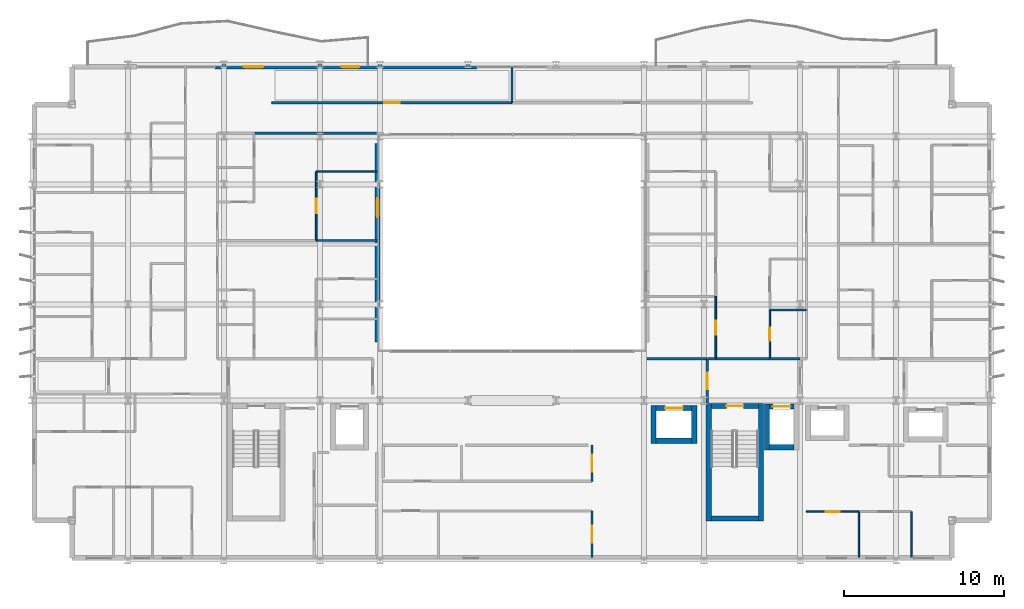
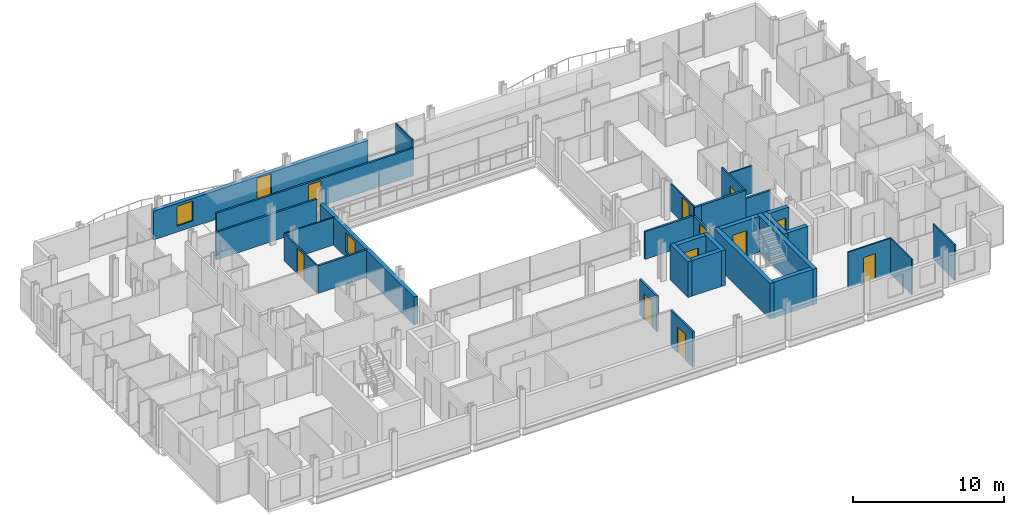
# One storey, part 30 of 39: 32 walls, 12 doors, 2 windows, 14 openings.
"""IFC4 building model written with IfcOpenShell, lengths in metres."""

import ifcopenshell
import ifcopenshell.guid

model = None  # the IFC model being written
_history = None  # IfcOwnerHistory: only IFC2X3 demands one
_inside = {}  # id of a spatial element -> (the spatial element, [elements in it])
_under = {}  # id of a project, library or spatial element -> (it, [spatial elements below it])
_declared = {}  # id of a project -> (the project, [libraries it declares])
_typed = {}  # id of a type object -> (the type object, [elements of that type])
_made_of = {}  # id of a material, layer set ... -> (it, [elements and type objects made of it])


def new_model(schema):
    """Start an empty IFC model of exactly this schema.

    Asked for "IFC4X3", IfcOpenShell would pick the latest addendum, in which some entities
    have other attributes; the version numbers below select the first issue.
    IFC2X3 requires an IfcOwnerHistory on every rooted entity: one is made here for all.
    """
    global model, _history
    if schema == "IFC4X3":
        model = ifcopenshell.file(schema_version=(4, 3, 0, 0))
    else:
        model = ifcopenshell.file(schema=schema)
    _inside.clear()
    _under.clear()
    _declared.clear()
    _typed.clear()
    _made_of.clear()
    _history = None
    if model.schema == "IFC2X3":
        org = make("IfcOrganization", Name="unknown")
        user = make(
            "IfcPersonAndOrganization",
            ThePerson=make("IfcPerson", FamilyName="unknown"),
            TheOrganization=org,
        )
        app = make(
            "IfcApplication",
            ApplicationDeveloper=org,
            Version="unknown",
            ApplicationFullName="unknown",
            ApplicationIdentifier="unknown",
        )
        _history = make(
            "IfcOwnerHistory",
            OwningUser=user,
            OwningApplication=app,
            ChangeAction="ADDED",
            CreationDate=0,
        )
    return model


def make(cls, **values):
    """One entity of the class cls with the attributes given. An attribute that is None is left unset."""
    return model.create_entity(
        cls, **{name: value for name, value in values.items() if value is not None}
    )


def rooted(cls, **values):
    """An entity with a GlobalId (a new one), such as an element, a storey or a relation."""
    return make(cls, GlobalId=ifcopenshell.guid.new(), OwnerHistory=_history, **values)


def si_unit(unit_type, name, prefix=None):
    """IfcSIUnit, for example si_unit("LENGTHUNIT", "METRE", prefix="MILLI")."""
    return make("IfcSIUnit", UnitType=unit_type, Prefix=prefix, Name=name)


def assignment(units):
    """IfcUnitAssignment: the units of a project."""
    return None if units is None else make("IfcUnitAssignment", Units=units)


def point(xyz):
    """IfcCartesianPoint."""
    return None if xyz is None else make("IfcCartesianPoint", Coordinates=xyz)


def direction(xyz):
    """IfcDirection."""
    return None if xyz is None else make("IfcDirection", DirectionRatios=xyz)


def frame(location, z_axis=None, x_axis=None):
    """IfcAxis2Placement3D, a coordinate frame: its origin and axes. An axis left out is left unset."""
    return make(
        "IfcAxis2Placement3D",
        Location=point(location),
        Axis=direction(z_axis),
        RefDirection=direction(x_axis),
    )


def frame_2d(location, x_axis=None):
    """IfcAxis2Placement2D, a coordinate frame in the plane: its origin and x axis."""
    return make(
        "IfcAxis2Placement2D", Location=point(location), RefDirection=direction(x_axis)
    )


def origin():
    """The frame at (0, 0, 0) with its axes left unset."""
    return frame((0.0, 0.0, 0.0))


def place(relative_to, where):
    """IfcLocalPlacement: puts the frame where relative to a parent placement (None: the world)."""
    return make(
        "IfcLocalPlacement", PlacementRelTo=relative_to, RelativePlacement=where
    )


def context(
    kind, dimensions, precision=None, world=None, true_north=None, identifier=None
):
    """IfcGeometricRepresentationContext, for example the 3D "Model" context."""
    return make(
        "IfcGeometricRepresentationContext",
        ContextIdentifier=identifier,
        ContextType=kind,
        CoordinateSpaceDimension=dimensions,
        Precision=precision,
        WorldCoordinateSystem=world,
        TrueNorth=true_north,
    )


def subcontext(parent, identifier, kind, view, scale=None):
    """IfcGeometricRepresentationSubContext, for example "Body" below "Model"."""
    return make(
        "IfcGeometricRepresentationSubContext",
        ContextIdentifier=identifier,
        ContextType=kind,
        ParentContext=parent,
        TargetScale=scale,
        TargetView=view,
    )


def project(units=None, contexts=None):
    """IfcProject with its units and contexts."""
    return rooted(
        "IfcProject",
        Name="project",
        RepresentationContexts=contexts,
        UnitsInContext=assignment(units),
    )


def spatial(cls, under=None, at=None, **own):
    """A site, building, storey or space (cls), placed at a placement, below another one or the project."""
    s = rooted(cls, ObjectPlacement=at, **own)
    if under is not None:
        _under.setdefault(under.id(), (under, []))[1].append(s)
    return s


def profile(cls, at=None, kind="AREA", **sizes):
    """A parametric profile (cls). Its sizes go by their IFC names, for example OverallWidth=200.0."""
    return make(cls, ProfileType=kind, Position=at, **sizes)


def rectangle(**sizes):
    """IfcRectangleProfileDef."""
    return profile("IfcRectangleProfileDef", **sizes)


def extrude(swept, where, along, depth):
    """IfcExtrudedAreaSolid: the profile swept, set in the frame where, extruded along a direction by depth."""
    return make(
        "IfcExtrudedAreaSolid",
        SweptArea=swept,
        Position=where,
        ExtrudedDirection=direction(along),
        Depth=depth,
    )


def shape(context_of_items, identifier, shape_type, items):
    """IfcShapeRepresentation: the items that make up one representation, for example the "Body"."""
    return make(
        "IfcShapeRepresentation",
        ContextOfItems=context_of_items,
        RepresentationIdentifier=identifier,
        RepresentationType=shape_type,
        Items=items,
    )


def material(Name=None, Category=None):
    """IfcMaterial."""
    return make("IfcMaterial", Name=Name, Category=Category)


def layer(
    of_material, thickness, ventilated=None, Name=None, Category=None, Priority=None
):
    """IfcMaterialLayer: one layer of a wall or slab, of a material (None: an air gap)."""
    return make(
        "IfcMaterialLayer",
        Material=of_material,
        LayerThickness=thickness,
        IsVentilated=ventilated,
        Name=Name,
        Category=Category,
        Priority=Priority,
    )


def layer_set(layers, Name=None):
    """IfcMaterialLayerSet."""
    return make("IfcMaterialLayerSet", MaterialLayers=layers, LayerSetName=Name)


def made_of(thing, what):
    """Note that an element or type object is made of a material, layer set ...; save() writes the relation."""
    if what is not None:
        _made_of.setdefault(what.id(), (what, []))[1].append(thing)
    return thing


def type_object(cls, material=None, **own):
    """A type object (cls), such as IfcWallType, which elements share."""
    return made_of(rooted(cls, **own), material)


def element(
    cls,
    number,
    at=None,
    inside=None,
    cuts=None,
    type_object=None,
    material=None,
    context=None,
    identifier="Body",
    shape_type=None,
    held_by="IfcProductDefinitionShape",
    body=None,
    shapes=None,
    **own,
):
    """One element of the class cls, such as IfcWall. Its Tag is "e" and its number.

    at: its placement. inside: the storey or other place that contains it. cuts: it is an
    opening in that element (IfcRelVoidsElement). A single representation is given by context,
    identifier, shape_type and body (its items); several are given by shapes. held_by: the class
    of the entity that holds the representations. save() writes the other relations.
    """
    e = rooted(cls, Tag="e%d" % number, ObjectPlacement=at, **own)
    if body is not None:
        shapes = [shape(context, identifier, shape_type, body)]
    if shapes is not None:
        e.Representation = make(held_by, Representations=shapes)
    if inside is not None:
        _inside.setdefault(inside.id(), (inside, []))[1].append(e)
    if cuts is not None:
        rooted(
            "IfcRelVoidsElement", RelatingBuildingElement=cuts, RelatedOpeningElement=e
        )
    if type_object is not None:
        _typed.setdefault(type_object.id(), (type_object, []))[1].append(e)
    return made_of(e, material)


def fill(opening, filler):
    """IfcRelFillsElement: the door or window that sits in an opening."""
    return rooted(
        "IfcRelFillsElement",
        RelatingOpeningElement=opening,
        RelatedBuildingElement=filler,
    )


def aggregate(whole, parts):
    """IfcRelAggregates: a whole, such as a stair, and the parts it consists of."""
    return rooted("IfcRelAggregates", RelatingObject=whole, RelatedObjects=parts)


def save(model, path):
    """Write the relations noted so far, then the file.

    IfcRelAggregates (storeys below a building ...), IfcRelContainedInSpatialStructure (elements
    in a storey), IfcRelDefinesByType, IfcRelAssociatesMaterial and IfcRelDeclares: one each for
    every whole, place, type object, material and project.
    """
    for whole, parts in _under.values():
        aggregate(whole, parts)
    for where, things in _inside.values():
        rooted(
            "IfcRelContainedInSpatialStructure",
            RelatedElements=things,
            RelatingStructure=where,
        )
    for kind, things in _typed.values():
        rooted("IfcRelDefinesByType", RelatedObjects=things, RelatingType=kind)
    for what, things in _made_of.values():
        rooted("IfcRelAssociatesMaterial", RelatedObjects=things, RelatingMaterial=what)
    for by, libraries in _declared.values():
        rooted("IfcRelDeclares", RelatingContext=by, RelatedDefinitions=libraries)
    model.write(path)


model = new_model("IFC4")

# Units and contexts
model_context = context("Model", 3, precision=1e-05, world=origin(), true_north=direction((0.0, 1.0)))
body_context = subcontext(model_context, "Body", "Model", "MODEL_VIEW")
ifc_project = project(units=[si_unit("LENGTHUNIT", "METRE"), si_unit("AREAUNIT", "SQUARE_METRE"), si_unit("VOLUMEUNIT", "CUBIC_METRE"), si_unit("PLANEANGLEUNIT", "RADIAN"), si_unit("MASSUNIT", "GRAM", prefix="KILO")], contexts=[model_context])

# Site, building, storey
site_placement = place(None, origin())
site = spatial("IfcSite", under=ifc_project, at=site_placement, CompositionType="ELEMENT")
building_placement = place(site_placement, origin())
building = spatial("IfcBuilding", under=site, at=building_placement, Name="Brevholm Reach", CompositionType="ELEMENT")
storey_placement = place(building_placement, frame((0.0, 0.0, 40.39990234375)))
storey = spatial("IfcBuildingStorey", under=building, at=storey_placement, Name="L10", CompositionType="ELEMENT", Elevation=40.39990234375)

# Walls
ifc_material_1 = material(Name="Concrete C60/75", Category="concrete")
ifc_layer_1 = layer(ifc_material_1, 0.320068359375)
ifc_layer_set_1 = layer_set([ifc_layer_1], Name="Concrete C60/75")
wall_type_1 = type_object("IfcWallType", Name="WAL-COR-320", PredefinedType="SHEAR", material=ifc_layer_set_1)
for number, where, z_axis, x_axis, name in (
    (1, (42.2900390625, 2.4599609375, 0.0), (0.0, 0.0, 1.0), (0.0, 1.0, 0.0), "L10 Escape Stair ST-2 Core Wall W"),
    (2, (45.56005859375, 2.4599609375, 0.0), (0.0, 0.0, 1.0), (0.0, 1.0, 0.0), "L10 Escape Stair ST-2 Core Wall E"),
):
    element("IfcWall", number, at=place(storey_placement, frame(where, z_axis=z_axis, x_axis=x_axis)), inside=storey, type_object=wall_type_1, Name=name, PredefinedType="SHEAR", context=body_context, shape_type="SweptSolid", body=[
        extrude(rectangle(XDim=7.360107421875, YDim=0.320068359375, at=frame_2d((3.68017578125, 0.0))), origin(), (0.0, 0.0, 1.0), 2.8701171875),
    ])
wall_1_placement = place(storey_placement, frame((42.449951171875, 2.6201171875, 0.0), z_axis=(0.0, 0.0, 1.0), x_axis=(1.0, 0.0, 0.0)))
element("IfcWall", 3, at=wall_1_placement, inside=storey, type_object=wall_type_1, Name="L10 Escape Stair ST-2 Core Wall S", PredefinedType="SHEAR", context=body_context, shape_type="SweptSolid", body=[
    extrude(rectangle(XDim=2.949951171875, YDim=0.320068359375, at=frame_2d((1.47509765625, 0.0))), origin(), (0.0, 0.0, 1.0), 2.8701171875),
])

# Wall, opening, door
wall_2_placement = place(storey_placement, frame((45.39990234375, 9.659912109375, 0.0), z_axis=(0.0, 0.0, 1.0), x_axis=(-1.0, 0.0, 0.0)))
wall_2 = element("IfcWall", 4, at=wall_2_placement, inside=storey, type_object=wall_type_1, Name="L10 Escape Stair ST-2 Core Wall N", PredefinedType="SHEAR", context=body_context, shape_type="SweptSolid", body=[
    extrude(rectangle(XDim=2.949951171875, YDim=0.320068359375, at=frame_2d((1.47509765625, 0.0))), origin(), (0.0, 0.0, 1.0), 2.8701171875),
])
opening_1_placement = place(wall_2_placement, frame((0.949951171875, 0.0, 0.0)))
opening_1 = element("IfcOpeningElement", 5, at=opening_1_placement, cuts=wall_2, Name="Opening SD-ST-2", PredefinedType="OPENING", context=body_context, shape_type="SweptSolid", body=[
    extrude(rectangle(XDim=1.050048828125, YDim=2.06005859375, at=frame_2d((0.52490234375, 1.030029296875))), frame((0.0, 0.169921875, 0.0), z_axis=(0.0, -1.0, 0.0), x_axis=(1.0, 0.0, 0.0)), (0.0, 0.0, 1.0), 0.340087890625),
])
ifc_material_2 = material(Name="Hardwood-Lipped Steel-Core Fire and Smoke Door", Category="steel")
door_type_1 = type_object("IfcDoorType", Name="DOR-INT-FD60S", OperationType="NOTDEFINED", PredefinedType="DOOR", material=ifc_material_2)
door_1_placement = place(opening_1_placement, origin())
door_1 = element("IfcDoor", 6, at=door_1_placement, inside=storey, type_object=door_type_1, Name="L10 Protected Stair ST-2 Lobby Door", OperationType="SINGLE_SWING_LEFT", OverallHeight=2.06005859375, OverallWidth=1.050048828125, PredefinedType="DOOR", context=body_context, shape_type="SweptSolid", body=[
    extrude(rectangle(XDim=1.050048828125, YDim=2.06005859375, at=frame_2d((0.52490234375, 1.030029296875))), frame((0.0, 0.02490234375, 0.0), z_axis=(0.0, -1.0, 0.0), x_axis=(1.0, 0.0, 0.0)), (0.0, 0.0, 1.0), 0.050048828125),
])
fill(opening_1, door_1)

# Walls
wall_3_placement = place(storey_placement, frame((45.929931640625, 6.919921875, 0.0), z_axis=(0.0, 0.0, 1.0), x_axis=(0.0, 1.0, 0.0)))
element("IfcWall", 7, at=wall_3_placement, inside=storey, type_object=wall_type_1, Name="L10 Lift FFL-2 Shaft Wall W", PredefinedType="SHEAR", context=body_context, shape_type="SweptSolid", body=[
    extrude(rectangle(XDim=2.860107421875, YDim=0.320068359375, at=frame_2d((1.43017578125, 0.0))), origin(), (0.0, 0.0, 1.0), 2.8701171875),
])
wall_4_placement = place(storey_placement, frame((46.090087890625, 7.080078125, 0.0), z_axis=(0.0, 0.0, 1.0), x_axis=(1.0, 0.0, 0.0)))
element("IfcWall", 8, at=wall_4_placement, inside=storey, type_object=wall_type_1, Name="L10 Lift FFL-2 Shaft Wall S", PredefinedType="SHEAR", context=body_context, shape_type="SweptSolid", body=[
    extrude(rectangle(XDim=1.52001953125, YDim=0.320068359375, at=frame_2d((0.760009765625, 0.0))), origin(), (0.0, 0.0, 1.0), 2.8701171875),
])

# Wall, opening, door
wall_5_placement = place(storey_placement, frame((46.090087890625, 9.6201171875, 0.0), z_axis=(0.0, 0.0, 1.0), x_axis=(1.0, 0.0, 0.0)))
wall_5 = element("IfcWall", 9, at=wall_5_placement, inside=storey, type_object=wall_type_1, Name="L10 Lift FFL-2 Shaft Wall N", PredefinedType="SHEAR", context=body_context, shape_type="SweptSolid", body=[
    extrude(rectangle(XDim=1.52001953125, YDim=0.320068359375, at=frame_2d((0.760009765625, 0.0))), origin(), (0.0, 0.0, 1.0), 2.8701171875),
])
opening_2_placement = place(wall_5_placement, frame((0.2099609375, 0.0, 0.0)))
opening_2 = element("IfcOpeningElement", 10, at=opening_2_placement, cuts=wall_5, Name="Opening LD-FFL-2", PredefinedType="OPENING", context=body_context, shape_type="SweptSolid", body=[
    extrude(rectangle(XDim=1.10009765625, YDim=2.06005859375, at=frame_2d((0.550048828125, 1.030029296875))), frame((0.0, 0.169921875, 0.0), z_axis=(0.0, -1.0, 0.0), x_axis=(1.0, 0.0, 0.0)), (0.0, 0.0, 1.0), 0.340087890625),
])
ifc_material_3 = material(Name="Brushed Stainless Steel Fire-Rated Sliding Lift Door", Category="steel")
door_type_2 = type_object("IfcDoorType", Name="DOR-LFT-1100", OperationType="NOTDEFINED", PredefinedType="DOOR", material=ifc_material_3)
door_2_placement = place(opening_2_placement, origin())
door_2 = element("IfcDoor", 11, at=door_2_placement, inside=storey, type_object=door_type_2, Name="L10 Lift FFL-2 Sliding Landing Door", OperationType="SLIDING_TO_LEFT", OverallHeight=2.06005859375, OverallWidth=1.10009765625, PredefinedType="DOOR", context=body_context, shape_type="SweptSolid", body=[
    extrude(rectangle(XDim=1.10009765625, YDim=2.06005859375, at=frame_2d((0.550048828125, 1.030029296875))), frame((0.0, 0.02490234375, 0.0), z_axis=(0.0, -1.0, 0.0), x_axis=(1.0, 0.0, 0.0)), (0.0, 0.0, 1.0), 0.050048828125),
])
fill(opening_2, door_2)

# Walls
for number, where, z_axis, x_axis, name in (
    (12, (38.85009765625, 7.320068359375, 0.0), (0.0, 0.0, 1.0), (0.0, 1.0, 0.0), "L10 Lift PL-S1 Shaft Wall W"),
    (13, (41.389892578125, 7.320068359375, 0.0), (0.0, 0.0, 1.0), (0.0, 1.0, 0.0), "L10 Lift PL-S1 Shaft Wall E"),
):
    element("IfcWall", number, at=place(storey_placement, frame(where, z_axis=z_axis, x_axis=x_axis)), inside=storey, type_object=wall_type_1, Name=name, PredefinedType="SHEAR", context=body_context, shape_type="SweptSolid", body=[
        extrude(rectangle(XDim=2.35986328125, YDim=0.320068359375, at=frame_2d((1.179931640625, 0.0))), origin(), (0.0, 0.0, 1.0), 2.8701171875),
    ])
wall_6_placement = place(storey_placement, frame((39.010009765625, 7.47998046875, 0.0), z_axis=(0.0, 0.0, 1.0), x_axis=(1.0, 0.0, 0.0)))
element("IfcWall", 14, at=wall_6_placement, inside=storey, type_object=wall_type_1, Name="L10 Lift PL-S1 Shaft Wall S", PredefinedType="SHEAR", context=body_context, shape_type="SweptSolid", body=[
    extrude(rectangle(XDim=2.219970703125, YDim=0.320068359375, at=frame_2d((1.10986328125, 0.0))), origin(), (0.0, 0.0, 1.0), 2.8701171875),
])

# Wall, opening, door
wall_7_placement = place(storey_placement, frame((39.010009765625, 9.52001953125, 0.0), z_axis=(0.0, 0.0, 1.0), x_axis=(1.0, 0.0, 0.0)))
wall_7 = element("IfcWall", 15, at=wall_7_placement, inside=storey, type_object=wall_type_1, Name="L10 Lift PL-S1 Shaft Wall N", PredefinedType="SHEAR", context=body_context, shape_type="SweptSolid", body=[
    extrude(rectangle(XDim=2.219970703125, YDim=0.320068359375, at=frame_2d((1.10986328125, 0.0))), origin(), (0.0, 0.0, 1.0), 2.8701171875),
])
opening_3_placement = place(wall_7_placement, frame((0.56005859375, 0.0, 0.0)))
opening_3 = element("IfcOpeningElement", 16, at=opening_3_placement, cuts=wall_7, Name="Opening LD-PL-S1", PredefinedType="OPENING", context=body_context, shape_type="SweptSolid", body=[
    extrude(rectangle(XDim=1.10009765625, YDim=2.06005859375, at=frame_2d((0.550048828125, 1.030029296875))), frame((0.0, 0.169921875, 0.0), z_axis=(0.0, -1.0, 0.0), x_axis=(1.0, 0.0, 0.0)), (0.0, 0.0, 1.0), 0.340087890625),
])
door_3_placement = place(opening_3_placement, origin())
door_3 = element("IfcDoor", 17, at=door_3_placement, inside=storey, type_object=door_type_2, Name="L10 Lift PL-S1 Sliding Landing Door", OperationType="SLIDING_TO_RIGHT", OverallHeight=2.06005859375, OverallWidth=1.10009765625, PredefinedType="DOOR", context=body_context, shape_type="SweptSolid", body=[
    extrude(rectangle(XDim=1.10009765625, YDim=2.06005859375, at=frame_2d((0.550048828125, 1.030029296875))), frame((0.0, 0.02490234375, 0.0), z_axis=(0.0, -1.0, 0.0), x_axis=(1.0, 0.0, 0.0)), (0.0, 0.0, 1.0), 0.050048828125),
])
fill(opening_3, door_3)

# Wall, openings, door, window
ifc_material_4 = material(Name="Concrete C40/50", Category="concrete")
ifc_layer_2 = layer(ifc_material_4, 0.300048828125)
ifc_layer_set_2 = layer_set([ifc_layer_2], Name="Concrete C40/50")
wall_type_2 = type_object("IfcWallType", Name="WAL-EXT-300", PredefinedType="STANDARD", material=ifc_layer_set_2)
wall_8_placement = place(storey_placement, frame((11.449951171875, 30.85009765625, 0.0), z_axis=(0.0, 0.0, 1.0), x_axis=(1.0, 0.0, 0.0)))
wall_8 = element("IfcWall", 18, at=wall_8_placement, inside=storey, type_object=wall_type_2, Name="L10 Facade Wall WAL-L10-NP-WL", PredefinedType="STANDARD", context=body_context, shape_type="SweptSolid", body=[
    extrude(rectangle(XDim=16.35009765625, YDim=0.300048828125, at=frame_2d((8.175048828125, 0.0))), origin(), (0.0, 0.0, 1.0), 2.3056640625),
])
opening_4_placement = place(wall_8_placement, frame((7.89794921875, 0.0, 0.0)))
opening_4 = element("IfcOpeningElement", 19, at=opening_4_placement, cuts=wall_8, Name="Opening BD-01", PredefinedType="OPENING", context=body_context, shape_type="SweptSolid", body=[
    extrude(rectangle(XDim=1.10009765625, YDim=2.199951171875, at=frame_2d((0.550048828125, 1.10009765625))), frame((0.0, 0.159912109375, 0.0), z_axis=(0.0, -1.0, 0.0), x_axis=(1.0, 0.0, 0.0)), (0.0, 0.0, 1.0), 0.320068359375),
])
opening_5_placement = place(wall_8_placement, frame((1.800048828125, 0.0, 0.486083984375)))
opening_5 = element("IfcOpeningElement", 20, at=opening_5_placement, cuts=wall_8, Name="Opening WN-08", PredefinedType="OPENING", context=body_context, shape_type="SweptSolid", body=[
    extrude(rectangle(XDim=1.199951171875, YDim=1.60009765625, at=frame_2d((0.60009765625, 0.800048828125))), frame((0.0, 0.159912109375, 0.0), z_axis=(0.0, -1.0, 0.0), x_axis=(1.0, 0.0, 0.0)), (0.0, 0.0, 1.0), 0.320068359375),
])
ifc_material_5 = material(Name="Dark Anodised Aluminium and Triple-Glazed Glass", Category="aluminium")
door_type_3 = type_object("IfcDoorType", Name="DOR-BALC-1100", OperationType="NOTDEFINED", PredefinedType="DOOR", material=ifc_material_5)
door_4_placement = place(opening_4_placement, origin())
door_4 = element("IfcDoor", 21, at=door_4_placement, inside=storey, type_object=door_type_3, Name="L10 Exterior Door DOR-L10-BL-NW", OperationType="SINGLE_SWING_RIGHT", OverallHeight=2.199951171875, OverallWidth=1.10009765625, PredefinedType="DOOR", context=body_context, shape_type="SweptSolid", body=[
    extrude(rectangle(XDim=1.10009765625, YDim=2.199951171875, at=frame_2d((0.550048828125, 1.10009765625))), frame((0.0, 0.02490234375, 0.0), z_axis=(0.0, -1.0, 0.0), x_axis=(1.0, 0.0, 0.0)), (0.0, 0.0, 1.0), 0.050048828125),
])
fill(opening_4, door_4)
ifc_material_6 = material(Name="Dark Anodised Aluminium and Solar-Control IGU Glass", Category="aluminium")
window_type = type_object("IfcWindowType", Name="WIN-RES-1200", PartitioningType="SINGLE_PANEL", PredefinedType="WINDOW", material=ifc_material_6)
window_1_placement = place(opening_5_placement, origin())
window_1 = element("IfcWindow", 22, at=window_1_placement, inside=storey, type_object=window_type, Name="L10 Window WIN-L10-NP-WL1", OverallHeight=1.60009765625, OverallWidth=1.199951171875, PartitioningType="SINGLE_PANEL", PredefinedType="WINDOW", context=body_context, shape_type="SweptSolid", body=[
    extrude(rectangle(XDim=1.199951171875, YDim=1.60009765625, at=frame_2d((0.60009765625, 0.800048828125))), frame((0.0, 0.030029296875, 0.0), z_axis=(0.0, -1.0, 0.0), x_axis=(1.0, 0.0, 0.0)), (0.0, 0.0, 1.0), 0.06005859375),
])
fill(opening_5, window_1)

# Wall, opening, window
wall_9_placement = place(storey_placement, frame((21.60009765625, 26.050048828125, 0.0), z_axis=(0.0, 0.0, 1.0), x_axis=(0.0, -1.0, 0.0)))
wall_9 = element("IfcWall", 23, at=wall_9_placement, inside=storey, type_object=wall_type_2, Name="L10 Facade Wall WAL-L10-AT-W", PredefinedType="STANDARD", context=body_context, shape_type="SweptSolid", body=[
    extrude(rectangle(XDim=12.400146484375, YDim=0.300048828125, at=frame_2d((6.2001953125, 0.0))), origin(), (0.0, 0.0, 1.0), 2.224853515625),
])
opening_6_placement = place(wall_9_placement, frame((3.39990234375, 0.0, 0.405029296875)))
opening_6 = element("IfcOpeningElement", 24, at=opening_6_placement, cuts=wall_9, Name="Opening WN-08", PredefinedType="OPENING", context=body_context, shape_type="SweptSolid", body=[
    extrude(rectangle(XDim=1.199951171875, YDim=1.60009765625, at=frame_2d((0.60009765625, 0.800048828125))), frame((0.0, 0.159912109375, 0.0), z_axis=(0.0, -1.0, 0.0), x_axis=(1.0, 0.0, 0.0)), (0.0, 0.0, 1.0), 0.320068359375),
])
window_2_placement = place(opening_6_placement, origin())
window_2 = element("IfcWindow", 25, at=window_2_placement, inside=storey, type_object=window_type, Name="L10 Window WIN-L10-AT-W1", OverallHeight=1.60009765625, OverallWidth=1.199951171875, PartitioningType="SINGLE_PANEL", PredefinedType="WINDOW", context=body_context, shape_type="SweptSolid", body=[
    extrude(rectangle(XDim=1.199951171875, YDim=1.60009765625, at=frame_2d((0.60009765625, 0.800048828125))), frame((0.0, 0.030029296875, 0.0), z_axis=(0.0, -1.0, 0.0), x_axis=(1.0, 0.0, 0.0)), (0.0, 0.0, 1.0), 0.06005859375),
])
fill(opening_6, window_2)

# Wall
ifc_material_7 = material(Name="Moisture-Resistant Acoustic Gypsum Stud Partition 100 mm", Category="gypsum")
ifc_layer_3 = layer(ifc_material_7, 0.10009765625)
ifc_layer_set_3 = layer_set([ifc_layer_3], Name="Moisture-Resistant Acoustic Gypsum Stud Partition 100 mm")
wall_type_3 = type_object("IfcWallType", Name="WAL-PRT-100", PredefinedType="PARTITIONING", material=ifc_layer_set_3)
wall_10_placement = place(storey_placement, frame((51.675048828125, 0.199951171875, 0.0), z_axis=(0.0, 0.0, 1.0), x_axis=(0.0, 1.0, 0.0)))
element("IfcWall", 26, at=wall_10_placement, inside=storey, type_object=wall_type_3, Name="L10 Internal Partition 089", PredefinedType="PARTITIONING", context=body_context, shape_type="SweptSolid", body=[
    extrude(rectangle(XDim=2.85009765625, YDim=0.10009765625, at=frame_2d((1.425048828125, 0.0))), origin(), (0.0, 0.0, 1.0), 2.8701171875),
])

# Wall, opening, door
wall_11_placement = place(storey_placement, frame((48.39990234375, 3.050048828125, 0.0), z_axis=(0.0, 0.0, 1.0), x_axis=(1.0, 0.0, 0.0)))
wall_11 = element("IfcWall", 27, at=wall_11_placement, inside=storey, type_object=wall_type_3, Name="L10 Internal Partition 090", PredefinedType="PARTITIONING", context=body_context, shape_type="SweptSolid", body=[
    extrude(rectangle(XDim=3.275146484375, YDim=0.10009765625, at=frame_2d((1.6376953125, 0.0))), origin(), (0.0, 0.0, 1.0), 2.8701171875),
])
opening_7_placement = place(wall_11_placement, frame((1.197509765625, 0.0, 0.0)))
opening_7 = element("IfcOpeningElement", 28, at=opening_7_placement, cuts=wall_11, Name="Opening ID-01", PredefinedType="OPENING", context=body_context, shape_type="SweptSolid", body=[
    extrude(rectangle(XDim=0.8798828125, YDim=2.0400390625, at=frame_2d((0.43994140625, 1.02001953125))), frame((0.0, 0.06005859375, 0.0), z_axis=(0.0, -1.0, 0.0), x_axis=(1.0, 0.0, 0.0)), (0.0, 0.0, 1.0), 0.1201171875),
])
ifc_material_8 = material(Name="Lacquered Ash Solid-Core Acoustic Internal Door", Category="timber")
door_type_4 = type_object("IfcDoorType", Name="DOR-INT-880", OperationType="NOTDEFINED", PredefinedType="DOOR", material=ifc_material_8)
door_5_placement = place(opening_7_placement, origin())
door_5 = element("IfcDoor", 29, at=door_5_placement, inside=storey, type_object=door_type_4, Name="L10 Internal Door 032", OperationType="SINGLE_SWING_RIGHT", OverallHeight=2.0400390625, OverallWidth=0.8798828125, PredefinedType="DOOR", context=body_context, shape_type="SweptSolid", body=[
    extrude(rectangle(XDim=0.8798828125, YDim=2.0400390625, at=frame_2d((0.43994140625, 1.02001953125))), frame((0.0, 0.02490234375, 0.0), z_axis=(0.0, -1.0, 0.0), x_axis=(1.0, 0.0, 0.0)), (0.0, 0.0, 1.0), 0.050048828125),
])
fill(opening_7, door_5)

# Walls
wall_12_placement = place(storey_placement, frame((54.949951171875, 0.199951171875, 0.0), z_axis=(0.0, 0.0, 1.0), x_axis=(0.0, 1.0, 0.0)))
element("IfcWall", 30, at=wall_12_placement, inside=storey, type_object=wall_type_3, Name="L10 Internal Partition 091", PredefinedType="PARTITIONING", context=body_context, shape_type="SweptSolid", body=[
    extrude(rectangle(XDim=2.85009765625, YDim=0.10009765625, at=frame_2d((1.425048828125, 0.0))), origin(), (0.0, 0.0, 1.0), 2.8701171875),
])
wall_13_placement = place(storey_placement, frame((17.76904296875, 24.300048828125, 0.0), z_axis=(0.0, 0.0, 1.0), x_axis=(1.0, 0.0, 0.0)))
element("IfcWall", 31, at=wall_13_placement, inside=storey, type_object=wall_type_3, Name="L10 Internal Partition 126", PredefinedType="PARTITIONING", context=body_context, shape_type="SweptSolid", body=[
    extrude(rectangle(XDim=3.781005859375, YDim=0.10009765625, at=frame_2d((1.890625, 0.0))), origin(), (0.0, 0.0, 1.0), 2.224853515625),
])

# Wall, opening, door
wall_14_placement = place(storey_placement, frame((17.76904296875, 20.00390625, 0.0), z_axis=(0.0, 0.0, 1.0), x_axis=(0.0, 1.0, 0.0)))
wall_14 = element("IfcWall", 32, at=wall_14_placement, inside=storey, type_object=wall_type_3, Name="L10 Internal Partition 127", PredefinedType="PARTITIONING", context=body_context, shape_type="SweptSolid", body=[
    extrude(rectangle(XDim=4.296142578125, YDim=0.10009765625, at=frame_2d((2.14794921875, 0.0))), origin(), (0.0, 0.0, 1.0), 2.224853515625),
])
opening_8_placement = place(wall_14_placement, frame((1.7080078125, 0.0, 0.0)))
opening_8 = element("IfcOpeningElement", 33, at=opening_8_placement, cuts=wall_14, Name="Opening ID-01", PredefinedType="OPENING", context=body_context, shape_type="SweptSolid", body=[
    extrude(rectangle(XDim=0.8798828125, YDim=2.0400390625, at=frame_2d((0.43994140625, 1.02001953125))), frame((0.0, 0.06005859375, 0.0), z_axis=(0.0, -1.0, 0.0), x_axis=(1.0, 0.0, 0.0)), (0.0, 0.0, 1.0), 0.1201171875),
])
door_6_placement = place(opening_8_placement, origin())
door_6 = element("IfcDoor", 34, at=door_6_placement, inside=storey, type_object=door_type_4, Name="L10 Internal Door 048", OperationType="SINGLE_SWING_RIGHT", OverallHeight=2.0400390625, OverallWidth=0.8798828125, PredefinedType="DOOR", context=body_context, shape_type="SweptSolid", body=[
    extrude(rectangle(XDim=0.8798828125, YDim=2.0400390625, at=frame_2d((0.43994140625, 1.02001953125))), frame((0.0, 0.02490234375, 0.0), z_axis=(0.0, -1.0, 0.0), x_axis=(1.0, 0.0, 0.0)), (0.0, 0.0, 1.0), 0.050048828125),
])
fill(opening_8, door_6)

# Wall
wall_15_placement = place(storey_placement, frame((46.112060546875, 15.64990234375, 0.0), z_axis=(0.0, 0.0, 1.0), x_axis=(1.0, 0.0, 0.0)))
element("IfcWall", 35, at=wall_15_placement, inside=storey, type_object=wall_type_3, Name="L10 Internal Partition 128", PredefinedType="PARTITIONING", context=body_context, shape_type="SweptSolid", body=[
    extrude(rectangle(XDim=2.283935546875, YDim=0.10009765625, at=frame_2d((1.14208984375, 0.0))), origin(), (0.0, 0.0, 1.0), 2.224853515625),
])

# Wall, opening, door
wall_16_placement = place(storey_placement, frame((46.112060546875, 12.60400390625, 0.0), z_axis=(0.0, 0.0, 1.0), x_axis=(0.0, 1.0, 0.0)))
wall_16 = element("IfcWall", 36, at=wall_16_placement, inside=storey, type_object=wall_type_3, Name="L10 Internal Partition 129", PredefinedType="PARTITIONING", context=body_context, shape_type="SweptSolid", body=[
    extrude(rectangle(XDim=3.0458984375, YDim=0.10009765625, at=frame_2d((1.52294921875, 0.0))), origin(), (0.0, 0.0, 1.0), 2.8701171875),
])
opening_9_placement = place(wall_16_placement, frame((1.113037109375, 0.0, 0.0)))
opening_9 = element("IfcOpeningElement", 37, at=opening_9_placement, cuts=wall_16, Name="Opening ID-03", PredefinedType="OPENING", context=body_context, shape_type="SweptSolid", body=[
    extrude(rectangle(XDim=0.820068359375, YDim=2.02001953125, at=frame_2d((0.41015625, 1.010009765625))), frame((0.0, 0.06005859375, 0.0), z_axis=(0.0, -1.0, 0.0), x_axis=(1.0, 0.0, 0.0)), (0.0, 0.0, 1.0), 0.1201171875),
])
ifc_material_9 = material(Name="Moisture-Resistant Painted Timber Internal Bathroom Door", Category="wood")
door_type_5 = type_object("IfcDoorType", Name="DOR-BATH-820", OperationType="NOTDEFINED", PredefinedType="DOOR", material=ifc_material_9)
door_7_placement = place(opening_9_placement, origin())
door_7 = element("IfcDoor", 38, at=door_7_placement, inside=storey, type_object=door_type_5, Name="L10 Internal Door 049", OperationType="SINGLE_SWING_LEFT", OverallHeight=2.02001953125, OverallWidth=0.820068359375, PredefinedType="DOOR", context=body_context, shape_type="SweptSolid", body=[
    extrude(rectangle(XDim=0.820068359375, YDim=2.02001953125, at=frame_2d((0.41015625, 1.010009765625))), frame((0.0, 0.02490234375, 0.0), z_axis=(0.0, -1.0, 0.0), x_axis=(1.0, 0.0, 0.0)), (0.0, 0.0, 1.0), 0.050048828125),
])
fill(opening_9, door_7)

wall_17_placement = place(storey_placement, frame((42.72802734375, 12.60400390625, 0.0), z_axis=(0.0, 0.0, 1.0), x_axis=(0.0, 1.0, 0.0)))
wall_17 = element("IfcWall", 39, at=wall_17_placement, inside=storey, type_object=wall_type_3, Name="L10 Internal Partition 135", PredefinedType="PARTITIONING", context=body_context, shape_type="SweptSolid", body=[
    extrude(rectangle(XDim=3.89599609375, YDim=0.10009765625, at=frame_2d((1.947998046875, 0.0))), origin(), (0.0, 0.0, 1.0), 2.224853515625),
])
opening_10_placement = place(wall_17_placement, frame((1.508056640625, 0.0, 0.0)))
opening_10 = element("IfcOpeningElement", 40, at=opening_10_placement, cuts=wall_17, Name="Opening ID-01", PredefinedType="OPENING", context=body_context, shape_type="SweptSolid", body=[
    extrude(rectangle(XDim=0.8798828125, YDim=2.0400390625, at=frame_2d((0.43994140625, 1.02001953125))), frame((0.0, 0.06005859375, 0.0), z_axis=(0.0, -1.0, 0.0), x_axis=(1.0, 0.0, 0.0)), (0.0, 0.0, 1.0), 0.1201171875),
])
door_8_placement = place(opening_10_placement, origin())
door_8 = element("IfcDoor", 41, at=door_8_placement, inside=storey, type_object=door_type_4, Name="L10 Internal Door 052", OperationType="SINGLE_SWING_RIGHT", OverallHeight=2.0400390625, OverallWidth=0.8798828125, PredefinedType="DOOR", context=body_context, shape_type="SweptSolid", body=[
    extrude(rectangle(XDim=0.8798828125, YDim=2.0400390625, at=frame_2d((0.43994140625, 1.02001953125))), frame((0.0, 0.02490234375, 0.0), z_axis=(0.0, -1.0, 0.0), x_axis=(1.0, 0.0, 0.0)), (0.0, 0.0, 1.0), 0.050048828125),
])
fill(opening_10, door_8)

# Wall
wall_18_placement = place(storey_placement, frame((30.0, 28.60400390625, 0.0), z_axis=(0.0, 0.0, 1.0), x_axis=(0.0, 1.0, 0.0)))
element("IfcWall", 42, at=wall_18_placement, inside=storey, type_object=wall_type_3, Name="L10 Internal Partition 159", PredefinedType="PARTITIONING", context=body_context, shape_type="SweptSolid", body=[
    extrude(rectangle(XDim=2.196044921875, YDim=0.10009765625, at=frame_2d((1.09814453125, 0.0))), origin(), (0.0, 0.0, 1.0), 2.8701171875),
])

# Wall, opening, door
ifc_material_10 = material(Name="Twin-Stud Acoustic Fire-Rated Gypsum Partition 140 mm", Category="gypsum")
ifc_layer_4 = layer(ifc_material_10, 0.139892578125)
ifc_layer_set_4 = layer_set([ifc_layer_4], Name="Twin-Stud Acoustic Fire-Rated Gypsum Partition 140 mm")
wall_type_4 = type_object("IfcWallType", Name="WAL-PRT-140", PredefinedType="PARTITIONING", material=ifc_layer_set_4)
wall_19_placement = place(storey_placement, frame((35.0, 0.179931640625, 0.0), z_axis=(0.0, 0.0, 1.0), x_axis=(0.0, 1.0, 0.0)))
wall_19 = element("IfcWall", 43, at=wall_19_placement, inside=storey, type_object=wall_type_4, Name="L10 Internal Partition 001", PredefinedType="PARTITIONING", context=body_context, shape_type="SweptSolid", body=[
    extrude(rectangle(XDim=2.927490234375, YDim=0.139892578125, at=frame_2d((1.4638671875, 0.0))), origin(), (0.0, 0.0, 1.0), 2.8701171875),
])
opening_11_placement = place(wall_19_placement, frame((0.938720703125, 0.0, 0.0)))
opening_11 = element("IfcOpeningElement", 44, at=opening_11_placement, cuts=wall_19, Name="Opening FD-01", PredefinedType="OPENING", context=body_context, shape_type="SweptSolid", body=[
    extrude(rectangle(XDim=1.050048828125, YDim=2.06005859375, at=frame_2d((0.52490234375, 1.030029296875))), frame((0.0, 0.079833984375, 0.0), z_axis=(0.0, -1.0, 0.0), x_axis=(1.0, 0.0, 0.0)), (0.0, 0.0, 1.0), 0.159912109375),
])
door_9_placement = place(opening_11_placement, origin())
door_9 = element("IfcDoor", 45, at=door_9_placement, inside=storey, type_object=door_type_1, Name="L10 Internal Door 001", OperationType="SINGLE_SWING_LEFT", OverallHeight=2.06005859375, OverallWidth=1.050048828125, PredefinedType="DOOR", context=body_context, shape_type="SweptSolid", body=[
    extrude(rectangle(XDim=1.050048828125, YDim=2.06005859375, at=frame_2d((0.52490234375, 1.030029296875))), frame((0.0, 0.02490234375, 0.0), z_axis=(0.0, -1.0, 0.0), x_axis=(1.0, 0.0, 0.0)), (0.0, 0.0, 1.0), 0.050048828125),
])
fill(opening_11, door_9)

wall_20_placement = place(storey_placement, frame((35.0, 4.942626953125, 0.0), z_axis=(0.0, 0.0, 1.0), x_axis=(0.0, 1.0, 0.0)))
wall_20 = element("IfcWall", 46, at=wall_20_placement, inside=storey, type_object=wall_type_4, Name="L10 Internal Partition 002", PredefinedType="PARTITIONING", context=body_context, shape_type="SweptSolid", body=[
    extrude(rectangle(XDim=2.2685546875, YDim=0.139892578125, at=frame_2d((1.13427734375, 0.0))), origin(), (0.0, 0.0, 1.0), 2.8701171875),
])
opening_12_placement = place(wall_20_placement, frame((0.609375, 0.0, 0.0)))
opening_12 = element("IfcOpeningElement", 47, at=opening_12_placement, cuts=wall_20, Name="Opening FD-01", PredefinedType="OPENING", context=body_context, shape_type="SweptSolid", body=[
    extrude(rectangle(XDim=1.050048828125, YDim=2.06005859375, at=frame_2d((0.52490234375, 1.030029296875))), frame((0.0, 0.079833984375, 0.0), z_axis=(0.0, -1.0, 0.0), x_axis=(1.0, 0.0, 0.0)), (0.0, 0.0, 1.0), 0.159912109375),
])
door_10_placement = place(opening_12_placement, origin())
door_10 = element("IfcDoor", 48, at=door_10_placement, inside=storey, type_object=door_type_1, Name="L10 Internal Door 002", OperationType="SINGLE_SWING_RIGHT", OverallHeight=2.06005859375, OverallWidth=1.050048828125, PredefinedType="DOOR", context=body_context, shape_type="SweptSolid", body=[
    extrude(rectangle(XDim=1.050048828125, YDim=2.06005859375, at=frame_2d((0.52490234375, 1.030029296875))), frame((0.0, 0.02490234375, 0.0), z_axis=(0.0, -1.0, 0.0), x_axis=(1.0, 0.0, 0.0)), (0.0, 0.0, 1.0), 0.050048828125),
])
fill(opening_12, door_10)

# Walls
wall_21_placement = place(storey_placement, frame((38.438720703125, 12.60009765625, 0.0), z_axis=(0.0, 0.0, 1.0), x_axis=(1.0, 0.0, 0.0)))
element("IfcWall", 49, at=wall_21_placement, inside=storey, type_object=wall_type_4, Name="L10 Internal Partition 035", PredefinedType="PARTITIONING", context=body_context, shape_type="SweptSolid", body=[
    extrude(rectangle(XDim=3.75732421875, YDim=0.139892578125, at=frame_2d((1.878662109375, 0.0))), origin(), (0.0, 0.0, 1.0), 2.224853515625),
])
wall_22_placement = place(storey_placement, frame((13.881591796875, 26.699951171875, 0.0), z_axis=(0.0, 0.0, 1.0), x_axis=(1.0, 0.0, 0.0)))
element("IfcWall", 50, at=wall_22_placement, inside=storey, type_object=wall_type_4, Name="L10 Internal Partition 061", PredefinedType="PARTITIONING", context=body_context, shape_type="SweptSolid", body=[
    extrude(rectangle(XDim=7.6796875, YDim=0.139892578125, at=frame_2d((3.83984375, 0.0))), origin(), (0.0, 0.0, 1.0), 2.224853515625),
])

# Wall, opening, door
wall_23_placement = place(storey_placement, frame((14.98876953125, 28.60009765625, 0.0), z_axis=(0.0, 0.0, 1.0), x_axis=(1.0, 0.0, 0.0)))
wall_23 = element("IfcWall", 51, at=wall_23_placement, inside=storey, type_object=wall_type_4, Name="L10 Internal Partition 064", PredefinedType="PARTITIONING", context=body_context, shape_type="SweptSolid", body=[
    extrude(rectangle(XDim=15.0224609375, YDim=0.139892578125, at=frame_2d((7.51123046875, 0.0))), origin(), (0.0, 0.0, 1.0), 2.224853515625),
])
opening_13_placement = place(wall_23_placement, frame((7.036376953125, 0.0, 0.0)))
opening_13 = element("IfcOpeningElement", 52, at=opening_13_placement, cuts=wall_23, Name="Opening ID-30", PredefinedType="OPENING", context=body_context, shape_type="SweptSolid", body=[
    extrude(rectangle(XDim=0.949951171875, YDim=2.050048828125, at=frame_2d((0.47509765625, 1.02490234375))), frame((0.0, 0.079833984375, 0.0), z_axis=(0.0, -1.0, 0.0), x_axis=(1.0, 0.0, 0.0)), (0.0, 0.0, 1.0), 0.159912109375),
])
ifc_material_11 = material(Name="European Oak Veneered Solid-Core Fire Entrance Door", Category="timber")
door_type_6 = type_object("IfcDoorType", Name="DOR-FLT-FD30S", OperationType="NOTDEFINED", PredefinedType="DOOR", material=ifc_material_11)
door_11_placement = place(opening_13_placement, origin())
door_11 = element("IfcDoor", 53, at=door_11_placement, inside=storey, type_object=door_type_6, Name="L10 Internal Door 023", OperationType="SINGLE_SWING_LEFT", OverallHeight=2.050048828125, OverallWidth=0.949951171875, PredefinedType="DOOR", context=body_context, shape_type="SweptSolid", body=[
    extrude(rectangle(XDim=0.949951171875, YDim=2.050048828125, at=frame_2d((0.47509765625, 1.02490234375))), frame((0.0, 0.02490234375, 0.0), z_axis=(0.0, -1.0, 0.0), x_axis=(1.0, 0.0, 0.0)), (0.0, 0.0, 1.0), 0.050048828125),
])
fill(opening_13, door_11)

# Wall
wall_24_placement = place(storey_placement, frame((17.7578125, 20.0, 0.0), z_axis=(0.0, 0.0, 1.0), x_axis=(1.0, 0.0, 0.0)))
element("IfcWall", 54, at=wall_24_placement, inside=storey, type_object=wall_type_4, Name="L10 Internal Partition 120", PredefinedType="PARTITIONING", context=body_context, shape_type="SweptSolid", body=[
    extrude(rectangle(XDim=3.792236328125, YDim=0.139892578125, at=frame_2d((1.89599609375, 0.0))), origin(), (0.0, 0.0, 1.0), 2.224853515625),
])

# Wall, opening, door
ifc_material_12 = material(Name="Twin-Frame Fire-Rated Gypsum Board and Mineral Wool 160 mm", Category="gypsum")
ifc_layer_5 = layer(ifc_material_12, 0.159912109375)
ifc_layer_set_5 = layer_set([ifc_layer_5], Name="Twin-Frame Fire-Rated Gypsum Board and Mineral Wool 160 mm")
wall_type_5 = type_object("IfcWallType", Name="WAL-PRT-160", PredefinedType="PARTITIONING", material=ifc_layer_set_5)
wall_25_placement = place(storey_placement, frame((42.199951171875, 9.830078125, 0.0), z_axis=(0.0, 0.0, 1.0), x_axis=(0.0, 1.0, 0.0)))
wall_25 = element("IfcWall", 55, at=wall_25_placement, inside=storey, type_object=wall_type_5, Name="L10 Internal Partition 024", PredefinedType="PARTITIONING", context=body_context, shape_type="SweptSolid", body=[
    extrude(rectangle(XDim=2.77001953125, YDim=0.159912109375, at=frame_2d((1.385009765625, 0.0))), origin(), (0.0, 0.0, 1.0), 2.224853515625),
])
opening_14_placement = place(wall_25_placement, frame((0.860107421875, 0.0, 0.0)))
opening_14 = element("IfcOpeningElement", 56, at=opening_14_placement, cuts=wall_25, Name="Opening FD-01", PredefinedType="OPENING", context=body_context, shape_type="SweptSolid", body=[
    extrude(rectangle(XDim=1.050048828125, YDim=2.06005859375, at=frame_2d((0.52490234375, 1.030029296875))), frame((0.0, 0.08984375, 0.0), z_axis=(0.0, -1.0, 0.0), x_axis=(1.0, 0.0, 0.0)), (0.0, 0.0, 1.0), 0.179931640625),
])
door_12_placement = place(opening_14_placement, origin())
door_12 = element("IfcDoor", 57, at=door_12_placement, inside=storey, type_object=door_type_1, Name="L10 Internal Door 013", OperationType="SINGLE_SWING_LEFT", OverallHeight=2.06005859375, OverallWidth=1.050048828125, PredefinedType="DOOR", context=body_context, shape_type="SweptSolid", body=[
    extrude(rectangle(XDim=1.050048828125, YDim=2.06005859375, at=frame_2d((0.52490234375, 1.030029296875))), frame((0.0, 0.02490234375, 0.0), z_axis=(0.0, -1.0, 0.0), x_axis=(1.0, 0.0, 0.0)), (0.0, 0.0, 1.0), 0.050048828125),
])
fill(opening_14, door_12)

# Walls
wall_26_placement = place(storey_placement, frame((46.1005859375, 12.60009765625, 0.0), z_axis=(0.0, 0.0, 1.0), x_axis=(1.0, 0.0, 0.0)))
element("IfcWall", 58, at=wall_26_placement, inside=storey, type_object=wall_type_5, Name="L10 Internal Partition 026", PredefinedType="PARTITIONING", context=body_context, shape_type="SweptSolid", body=[
    extrude(rectangle(XDim=1.8994140625, YDim=0.159912109375, at=frame_2d((0.94970703125, 0.0))), origin(), (0.0, 0.0, 1.0), 2.224853515625),
])
wall_27_placement = place(storey_placement, frame((42.199951171875, 12.60009765625, 0.0), z_axis=(0.0, 0.0, 1.0), x_axis=(1.0, 0.0, 0.0)))
element("IfcWall", 59, at=wall_27_placement, inside=storey, type_object=wall_type_5, Name="L10 Internal Partition 027", PredefinedType="PARTITIONING", context=body_context, shape_type="SweptSolid", body=[
    extrude(rectangle(XDim=0.539306640625, YDim=0.159912109375, at=frame_2d((0.26953125, 0.0))), origin(), (0.0, 0.0, 1.0), 2.8701171875),
])
wall_28_placement = place(storey_placement, frame((42.720703125, 12.60009765625, 0.0), z_axis=(0.0, 0.0, 1.0), x_axis=(1.0, 0.0, 0.0)))
element("IfcWall", 60, at=wall_28_placement, inside=storey, type_object=wall_type_5, Name="L10 Internal Partition 028", PredefinedType="PARTITIONING", context=body_context, shape_type="SweptSolid", body=[
    extrude(rectangle(XDim=3.398681640625, YDim=0.159912109375, at=frame_2d((1.69921875, 0.0))), origin(), (0.0, 0.0, 1.0), 2.8701171875),
])

save(model, "model.ifc")
